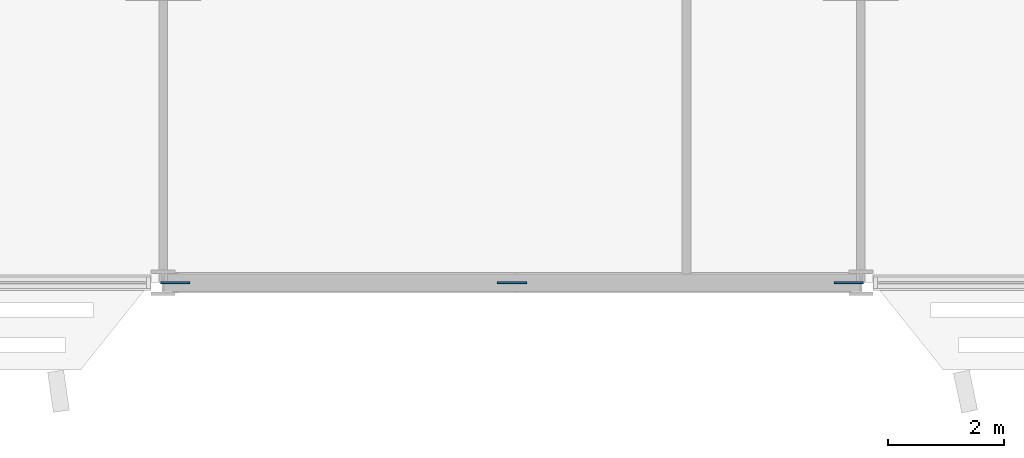
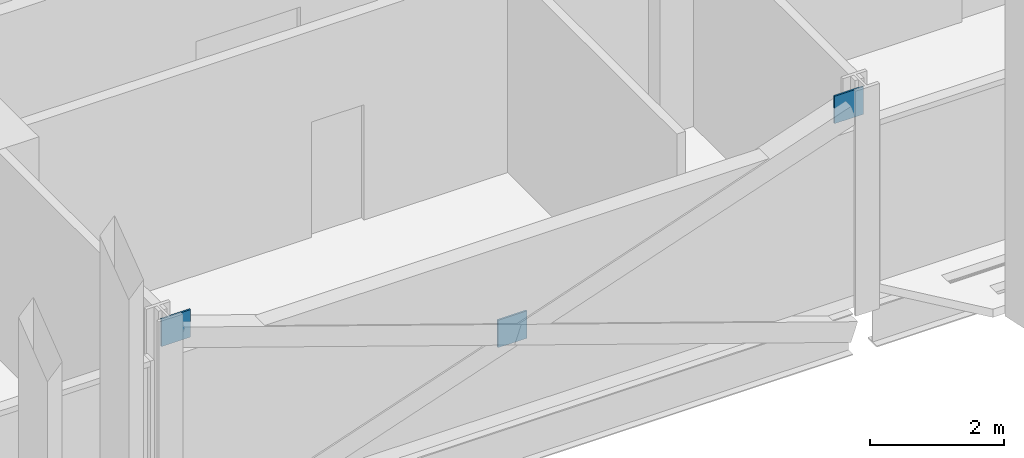
# One storey, part 21 of 32: 3 discrete accessories.
"""IFC4 building model written with IfcOpenShell, lengths in metres."""

from ifc_helpers import new_model, si_unit, direction, frame, origin, origin_2d, place, context, subcontext, project, spatial, rectangle, extrude, material, layer, layer_set, type_object, element, save


model = new_model("IFC4")

# Units and contexts
model_context = context("Model", 3, precision=1e-05, world=origin(), true_north=direction((0.0, 1.0)))
body_context = subcontext(model_context, "Body", "Model", "MODEL_VIEW")
ifc_project = project(units=[si_unit("LENGTHUNIT", "METRE"), si_unit("AREAUNIT", "SQUARE_METRE"), si_unit("VOLUMEUNIT", "CUBIC_METRE"), si_unit("PLANEANGLEUNIT", "RADIAN"), si_unit("MASSUNIT", "GRAM", prefix="KILO")], contexts=[model_context])

# Site, building, storey
site_placement = place(None, origin())
site = spatial("IfcSite", under=ifc_project, at=site_placement, CompositionType="ELEMENT")
building_placement = place(site_placement, origin())
building = spatial("IfcBuilding", under=site, at=building_placement, Name="Mahtab Terrace Research Tower", CompositionType="ELEMENT")
storey_placement = place(building_placement, frame((0.0, 0.0, 138.39990234375)))
storey = spatial("IfcBuildingStorey", under=building, at=storey_placement, Name="L32", CompositionType="ELEMENT", Elevation=138.39990234375)

# Discrete accessories
ifc_material = material(Name="Steel ASTM A992 Gr 50", Category="steel")
ifc_layer = layer(ifc_material, 0.030029296875)
ifc_layer_set = layer_set([ifc_layer], Name="Gusset plate 500x500x30")
discrete_accessory_type = type_object("IfcDiscreteAccessoryType", Name="Gusset plate 500x500x30", PredefinedType="USERDEFINED", material=ifc_layer_set)
for number, where, z_axis, x_axis, name in (
    (1, (-5.794189453125, -17.0, 3.131591796875), (0.0, 0.0, 1.0), (1.0, 0.0, 0.0), "Gusset plate"),
    (2, (0.0, -17.0, 1.081787109375), (0.0, 0.0, 1.0), (1.0, 0.0, 0.0), "Gusset plate"),
    (3, (5.794189453125, -17.0, 3.131591796875), (0.0, 0.0, 1.0), (1.0, 0.0, 0.0), "Gusset plate"),
):
    element("IfcDiscreteAccessory", number, at=place(storey_placement, frame(where, z_axis=z_axis, x_axis=x_axis)), inside=storey, type_object=discrete_accessory_type, Name=name, ObjectType="GUSSET PLATE", PredefinedType="USERDEFINED", context=body_context, shape_type="SweptSolid", body=[
        extrude(rectangle(XDim=0.5, YDim=0.030029296875, at=origin_2d()), origin(), (0.0, 0.0, 1.0), 0.5),
    ])

save(model, "model.ifc")
